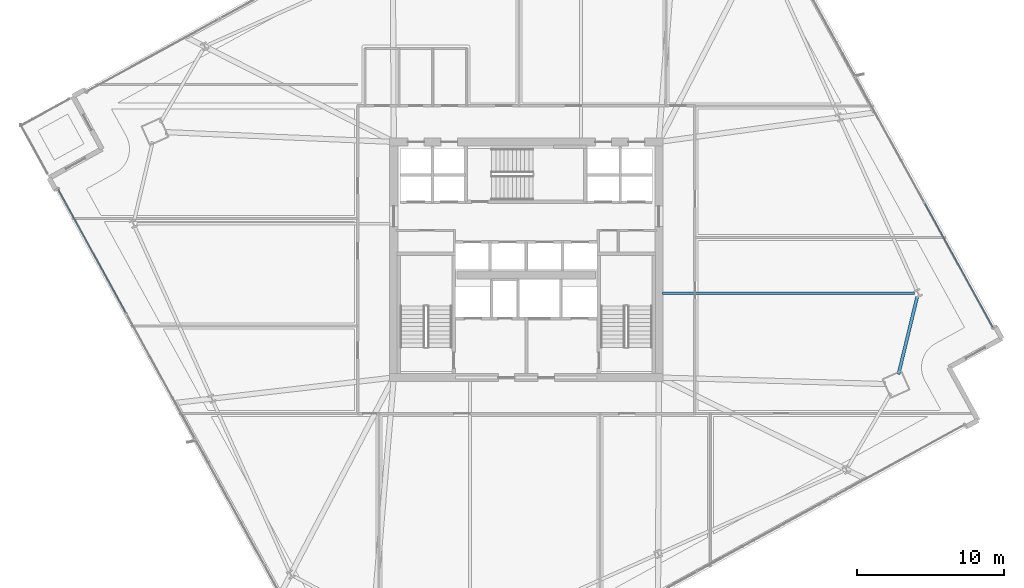
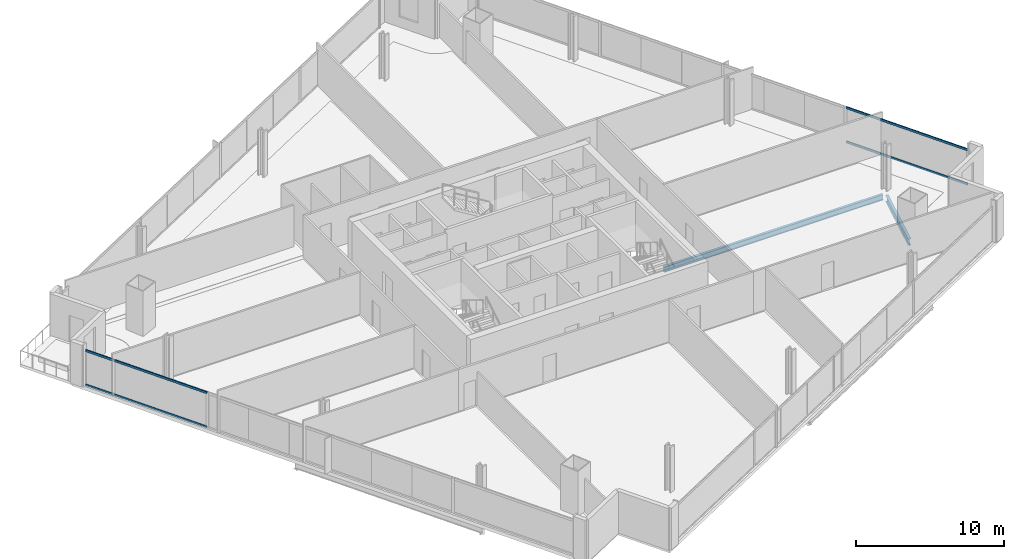
# One storey, part 11 of 33: 4 members, 2 beams, 2 elements without a shape of their own.
"""IFC4 building model written with IfcOpenShell, lengths in metres."""

from ifc_helpers import new_model, si_unit, direction, frame, origin, origin_2d, place, context, subcontext, project, spatial, hollow_rectangle, i_section, extrude, material, material_profile, profile_set, type_object, element, aggregate, save


model = new_model("IFC4")

# Units and contexts
model_context = context("Model", 3, precision=1e-05, world=origin(), true_north=direction((0.0, 1.0)))
body_context = subcontext(model_context, "Body", "Model", "MODEL_VIEW")
ifc_project = project(units=[si_unit("LENGTHUNIT", "METRE"), si_unit("AREAUNIT", "SQUARE_METRE"), si_unit("VOLUMEUNIT", "CUBIC_METRE"), si_unit("PLANEANGLEUNIT", "RADIAN"), si_unit("MASSUNIT", "GRAM", prefix="KILO")], contexts=[model_context])

# Site, building, storey
site_placement = place(None, origin())
site = spatial("IfcSite", under=ifc_project, at=site_placement, CompositionType="ELEMENT")
building_placement = place(site_placement, origin())
building = spatial("IfcBuilding", under=site, at=building_placement, Name="Haldenkirk Collegiate Tower", CompositionType="ELEMENT")
storey_placement = place(building_placement, frame((0.0, 0.0, 124.199951171875)))
storey = spatial("IfcBuildingStorey", under=building, at=storey_placement, Name="L30", CompositionType="ELEMENT", Elevation=124.199951171875)

# Beams
ifc_material_1 = material(Name="Steel ASTM A992 Grade 50", Category="steel")
ifc_material_profile_1 = material_profile(ifc_material_1, i_section(OverallWidth=0.19189453125, OverallDepth=0.462890625, WebThickness=0.010498046875, FlangeThickness=0.017578125, at=origin_2d()), Name="W18X60")
ifc_profile_set_1 = profile_set([ifc_material_profile_1], Name="Steel ASTM A992 Grade 50")
beam_type_1 = type_object("IfcBeamType", Name="BM-JOIST-W18X60", PredefinedType="JOIST", material=ifc_profile_set_1)
beam_1_placement = place(storey_placement, frame((62.363037109375, 23.727294921875, -0.531494140625), z_axis=(-1.0, 0.0, 0.0), x_axis=(0.0, -1.0, 0.0)))
element("IfcBeam", 1, at=beam_1_placement, inside=storey, type_object=beam_type_1, Name="L30 composite floor joist 08", PredefinedType="JOIST", context=body_context, shape_type="SweptSolid", body=[
    extrude(i_section(OverallWidth=0.19189453125, OverallDepth=0.462890625, WebThickness=0.010498046875, FlangeThickness=0.017578125, at=origin_2d()), origin(), (0.0, 0.0, 1.0), 17.108154296875),
])
ifc_material_profile_2 = material_profile(ifc_material_1, i_section(OverallWidth=0.2119140625, OverallDepth=0.5439453125, WebThickness=0.01318359375, FlangeThickness=0.021240234375, at=origin_2d()), Name="W21X83")
ifc_profile_set_2 = profile_set([ifc_material_profile_2], Name="Steel ASTM A992 Grade 50")
beam_type_2 = type_object("IfcBeamType", Name="BM-SPANDREL-W21X83", PredefinedType="SPANDREL", material=ifc_profile_set_2)
beam_2_placement = place(storey_placement, frame((61.277587890625, 18.21826171875, -0.572021484375), z_axis=(0.234815122269, 0.972040049768, 0.0), x_axis=(-0.972040049768, 0.234815122269, 0.0)))
element("IfcBeam", 2, at=beam_2_placement, inside=storey, type_object=beam_type_2, Name="L30 perimeter spandrel beam 05", PredefinedType="SPANDREL", context=body_context, shape_type="SweptSolid", body=[
    extrude(i_section(OverallWidth=0.2119140625, OverallDepth=0.5439453125, WebThickness=0.01318359375, FlangeThickness=0.021240234375, at=origin_2d()), origin(), (0.0, 0.0, 1.0), 5.422119140625),
])

# Curtain wall, members
ifc_material_2 = material(Name="Anodised architectural bronze aluminium", Category="aluminium")
curtain_wall_type = type_object("IfcCurtainWallType", Name="CW-SYS1-CONVEX-LOW", PredefinedType="USERDEFINED", material=ifc_material_2)
curtain_wall_1_placement = place(storey_placement, origin())
curtain_wall_1 = element("IfcCurtainWall", 3, at=curtain_wall_1_placement, inside=storey, type_object=curtain_wall_type, Name="L30 Lower tower convex bronze-framed unitised curtain wall", ObjectType="UNITISED CURTAIN WALL", PredefinedType="USERDEFINED")
ifc_material_profile_3 = material_profile(ifc_material_2, hollow_rectangle(XDim=0.080078125, YDim=0.179931640625, WallThickness=0.0048828125, at=origin_2d()), Name="CW-TRN-1A")
ifc_profile_set_3 = profile_set([ifc_material_profile_3], Name="Anodised architectural bronze aluminium")
member_type = type_object("IfcMemberType", Name="CW-TRN-1A", PredefinedType="USERDEFINED", material=ifc_profile_set_3)
member_1_placement = place(storey_placement, frame((63.0576171875, 29.841796875, 0.0400390625), z_axis=(0.480990927747, -0.876725571331, 0.0), x_axis=(0.876725571331, 0.480990927747, 0.0)))
member_1 = element("IfcMember", 4, at=member_1_placement, type_object=member_type, Name="CW-1A transom 4.1", ObjectType="TRANSOM", PredefinedType="USERDEFINED", context=body_context, shape_type="SweptSolid", body=[
    extrude(hollow_rectangle(XDim=0.080078125, YDim=0.179931640625, WallThickness=0.0048828125, at=origin_2d()), origin(), (0.0, 0.0, 1.0), 9.598876953125),
])
member_2_placement = place(storey_placement, frame((63.0576171875, 29.841796875, 2.861083984375), z_axis=(0.480990927747, -0.876725571331, 0.0), x_axis=(0.876725571331, 0.480990927747, 0.0)))
member_2 = element("IfcMember", 5, at=member_2_placement, type_object=member_type, Name="CW-1A transom 4.2", ObjectType="TRANSOM", PredefinedType="USERDEFINED", context=body_context, shape_type="SweptSolid", body=[
    extrude(hollow_rectangle(XDim=0.080078125, YDim=0.179931640625, WallThickness=0.0048828125, at=origin_2d()), origin(), (0.0, 0.0, 1.0), 9.598876953125),
])
aggregate(curtain_wall_1, [member_1, member_2])

curtain_wall_2_placement = place(storey_placement, origin())
curtain_wall_2 = element("IfcCurtainWall", 6, at=curtain_wall_2_placement, inside=storey, type_object=curtain_wall_type, Name="L30 Lower tower convex bronze-framed unitised curtain wall", ObjectType="UNITISED CURTAIN WALL", PredefinedType="USERDEFINED")
member_3_placement = place(storey_placement, frame((8.834228515625, 22.35546875, 0.0400390625), z_axis=(-0.480990927747, 0.876725571331, 0.0), x_axis=(-0.876725571331, -0.480990927747, 0.0)))
member_3 = element("IfcMember", 7, at=member_3_placement, type_object=member_type, Name="CW-1A transom 4.1", ObjectType="TRANSOM", PredefinedType="USERDEFINED", context=body_context, shape_type="SweptSolid", body=[
    extrude(hollow_rectangle(XDim=0.080078125, YDim=0.179931640625, WallThickness=0.0048828125, at=origin_2d()), origin(), (0.0, 0.0, 1.0), 9.598876953125),
])
member_4_placement = place(storey_placement, frame((8.834228515625, 22.35546875, 2.861083984375), z_axis=(-0.480990927747, 0.876725571331, 0.0), x_axis=(-0.876725571331, -0.480990927747, 0.0)))
member_4 = element("IfcMember", 8, at=member_4_placement, type_object=member_type, Name="CW-1A transom 4.2", ObjectType="TRANSOM", PredefinedType="USERDEFINED", context=body_context, shape_type="SweptSolid", body=[
    extrude(hollow_rectangle(XDim=0.080078125, YDim=0.179931640625, WallThickness=0.0048828125, at=origin_2d()), origin(), (0.0, 0.0, 1.0), 9.598876953125),
])
aggregate(curtain_wall_2, [member_3, member_4])

save(model, "model.ifc")
